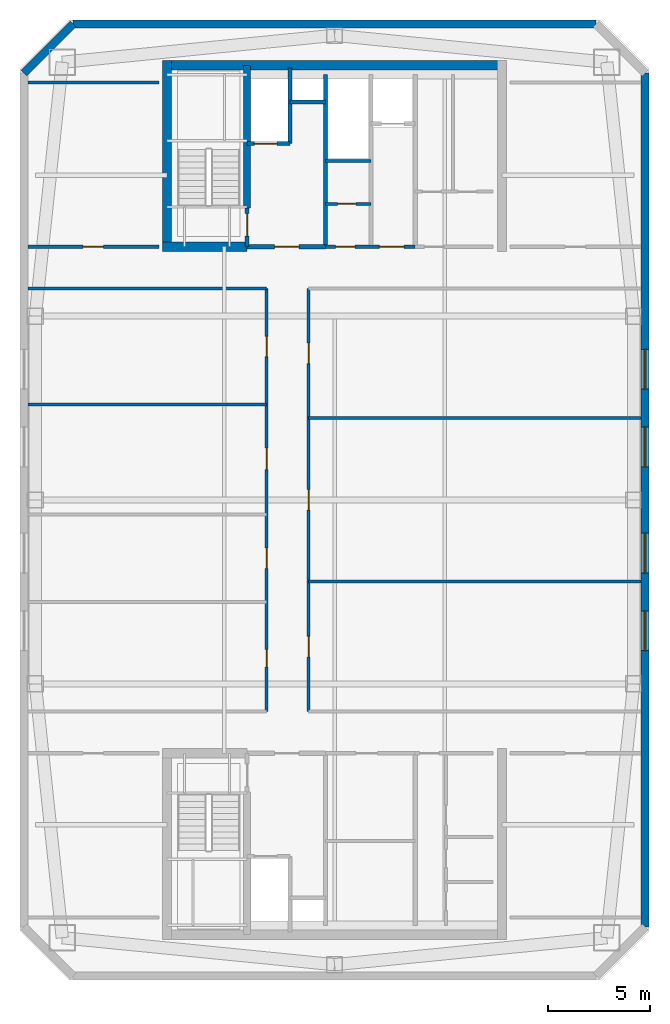
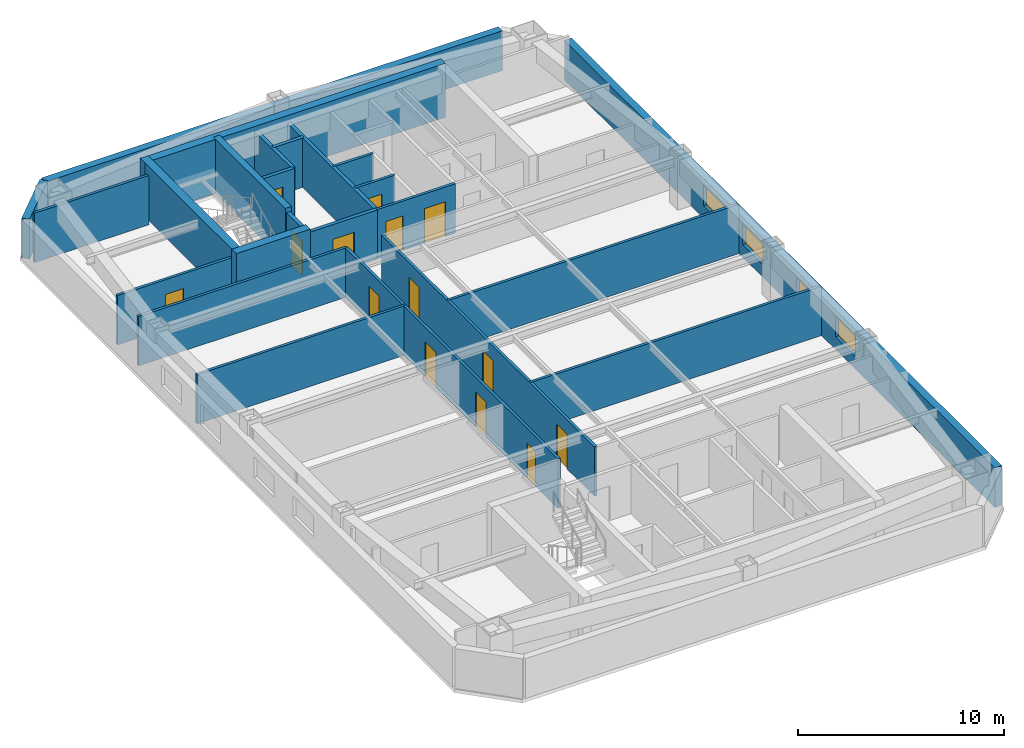
# One storey, part 3 of 5: 24 walls, 14 doors, 4 windows, 18 openings.
"""IFC4 building model written with IfcOpenShell, lengths in metres."""

from ifc_helpers import new_model, si_unit, direction, frame, frame_2d, origin, place, context, subcontext, project, spatial, rectangle, extrude, material, layer, layer_set, type_object, element, fill, save


model = new_model("IFC4")

# Units and contexts
model_context = context("Model", 3, precision=1e-05, world=origin(), true_north=direction((0.0, 1.0)))
body_context = subcontext(model_context, "Body", "Model", "MODEL_VIEW")
ifc_project = project(units=[si_unit("LENGTHUNIT", "METRE"), si_unit("AREAUNIT", "SQUARE_METRE"), si_unit("VOLUMEUNIT", "CUBIC_METRE"), si_unit("PLANEANGLEUNIT", "RADIAN"), si_unit("MASSUNIT", "GRAM", prefix="KILO")], contexts=[model_context])

# Site, building, storey
site_placement = place(None, origin())
site = spatial("IfcSite", under=ifc_project, at=site_placement, CompositionType="ELEMENT")
building_placement = place(site_placement, origin())
building = spatial("IfcBuilding", under=site, at=building_placement, Name="Qiaolan Cultural Towers", CompositionType="ELEMENT")
storey_placement = place(building_placement, frame((0.0, 0.0, 272.800048828125)))
storey = spatial("IfcBuildingStorey", under=building, at=storey_placement, Name="L75", CompositionType="ELEMENT", Elevation=272.800048828125)

# Walls
ifc_material_1 = material(Name="Concrete C50", Category="concrete")
ifc_layer_1 = layer(ifc_material_1, 0.35009765625)
ifc_layer_set_1 = layer_set([ifc_layer_1], Name="Concrete C50")
wall_type_1 = type_object("IfcWallType", Name="WL-CORE-350", PredefinedType="SHEAR", material=ifc_layer_set_1)
wall_1_placement = place(storey_placement, frame((25.719970703125, 48.300048828125, 0.0), z_axis=(0.0, 0.0, 1.0), x_axis=(0.0, 1.0, 0.0)))
element("IfcWall", 1, at=wall_1_placement, inside=storey, type_object=wall_type_1, Name="L75 T1-CN Stair Core Dividing Web", PredefinedType="SHEAR", context=body_context, shape_type="SweptSolid", body=[
    extrude(rectangle(XDim=6.97998046875, YDim=0.35009765625, at=frame_2d((3.489990234375, 0.0))), origin(), (0.0, 0.0, 1.0), 3.199951171875),
])
ifc_material_2 = material(Name="Concrete C50", Category="concrete")
ifc_layer_2 = layer(ifc_material_2, 0.449951171875)
ifc_layer_set_2 = layer_set([ifc_layer_2], Name="Concrete C50")
wall_type_2 = type_object("IfcWallType", Name="WL-CORE-450", PredefinedType="SHEAR", material=ifc_layer_set_2)
wall_2_placement = place(storey_placement, frame((21.574951171875, 55.280029296875, 0.0), z_axis=(0.0, 0.0, 1.0), x_axis=(1.0, 0.0, 0.0)))
element("IfcWall", 2, at=wall_2_placement, inside=storey, type_object=wall_type_2, Name="L75 T1-CN Outer Core Shear Wall", PredefinedType="SHEAR", context=body_context, shape_type="SweptSolid", body=[
    extrude(rectangle(XDim=16.85009765625, YDim=0.449951171875, at=frame_2d((8.425048828125, 0.0))), origin(), (0.0, 0.0, 1.0), 3.199951171875),
])
wall_3_placement = place(storey_placement, frame((21.800048828125, 46.175048828125, 0.0), z_axis=(0.0, 0.0, 1.0), x_axis=(0.0, 1.0, 0.0)))
element("IfcWall", 3, at=wall_3_placement, inside=storey, type_object=wall_type_2, Name="L75 T1-CN West Core Shear Wall", PredefinedType="SHEAR", context=body_context, shape_type="SweptSolid", body=[
    extrude(rectangle(XDim=9.329833984375, YDim=0.449951171875, at=frame_2d((4.6650390625, 0.0))), origin(), (0.0, 0.0, 1.0), 3.199951171875),
])
wall_4_placement = place(storey_placement, frame((21.574951171875, 46.39990234375, 0.0), z_axis=(0.0, 0.0, 1.0), x_axis=(1.0, 0.0, 0.0)))
element("IfcWall", 4, at=wall_4_placement, inside=storey, type_object=wall_type_2, Name="L75 T1-CN Stair Front Shear Wall", PredefinedType="SHEAR", context=body_context, shape_type="SweptSolid", body=[
    extrude(rectangle(XDim=4.14501953125, YDim=0.449951171875, at=frame_2d((2.072509765625, 0.0))), origin(), (0.0, 0.0, 1.0), 3.199951171875),
])
ifc_material_3 = material(Name="Precast Concrete C50 Honed Stone Pier", Category="masonry")
ifc_layer_3 = layer(ifc_material_3, 0.39990234375)
ifc_layer_set_3 = layer_set([ifc_layer_3], Name="Precast Concrete C50 Honed Stone Pier")
wall_type_3 = type_object("IfcWallType", Name="WL-EXT-PIER-400", PredefinedType="SOLIDWALL", material=ifc_layer_set_3)
wall_5_placement = place(storey_placement, frame((14.800048828125, 54.89990234375, 0.0), z_axis=(0.0, 0.0, 1.0), x_axis=(0.707070815327, 0.707142745217, 0.0)))
element("IfcWall", 5, at=wall_5_placement, inside=storey, type_object=wall_type_3, Name="L75 West Tower Precast Pier Facade Wall F2", PredefinedType="SOLIDWALL", context=body_context, shape_type="SweptSolid", body=[
    extrude(rectangle(XDim=3.39404296875, YDim=0.39990234375, at=frame_2d((1.697021484375, 0.0))), origin(), (0.0, 0.0, 1.0), 2.35986328125),
])
wall_6_placement = place(storey_placement, frame((17.199951171875, 57.300048828125, 0.0), z_axis=(0.0, 0.0, 1.0), x_axis=(1.0, 0.0, 0.0)))
element("IfcWall", 6, at=wall_6_placement, inside=storey, type_object=wall_type_3, Name="L75 West Tower Precast Pier Facade Wall F3", PredefinedType="SOLIDWALL", context=body_context, shape_type="SweptSolid", body=[
    extrude(rectangle(XDim=25.60009765625, YDim=0.39990234375, at=frame_2d((12.800048828125, 0.0))), origin(), (0.0, 0.0, 1.0), 2.35986328125),
])

# Wall, openings, windows
wall_7_placement = place(storey_placement, frame((45.199951171875, 54.89990234375, 0.0), z_axis=(0.0, 0.0, 1.0), x_axis=(0.0, -1.0, 0.0)))
wall_7 = element("IfcWall", 7, at=wall_7_placement, inside=storey, type_object=wall_type_3, Name="L75 West Tower Precast Pier Facade Wall F5", PredefinedType="SOLIDWALL", context=body_context, shape_type="SweptSolid", body=[
    extrude(rectangle(XDim=41.7998046875, YDim=0.39990234375, at=frame_2d((20.89990234375, 0.0))), origin(), (0.0, 0.0, 1.0), 2.35986328125),
])
opening_1_placement = place(wall_7_placement, frame((26.324951171875, 0.0, 0.75)))
opening_1 = element("IfcOpeningElement", 8, at=opening_1_placement, cuts=wall_7, Name="Opening W-06", PredefinedType="OPENING", context=body_context, shape_type="SweptSolid", body=[
    extrude(rectangle(XDim=1.949951171875, YDim=1.2099609375, at=frame_2d((0.97509765625, 0.60498046875))), frame((0.0, 0.2099609375, 0.0), z_axis=(0.0, -1.0, 0.0), x_axis=(1.0, 0.0, 0.0)), (0.0, 0.0, 1.0), 0.419921875),
])
opening_2_placement = place(wall_7_placement, frame((22.52490234375, 0.0, 0.75)))
opening_2 = element("IfcOpeningElement", 9, at=opening_2_placement, cuts=wall_7, Name="Opening W-06", PredefinedType="OPENING", context=body_context, shape_type="SweptSolid", body=[
    extrude(rectangle(XDim=1.949951171875, YDim=1.2099609375, at=frame_2d((0.97509765625, 0.60498046875))), frame((0.0, 0.2099609375, 0.0), z_axis=(0.0, -1.0, 0.0), x_axis=(1.0, 0.0, 0.0)), (0.0, 0.0, 1.0), 0.419921875),
])
opening_3_placement = place(wall_7_placement, frame((17.324951171875, 0.0, 0.75)))
opening_3 = element("IfcOpeningElement", 10, at=opening_3_placement, cuts=wall_7, Name="Opening W-06", PredefinedType="OPENING", context=body_context, shape_type="SweptSolid", body=[
    extrude(rectangle(XDim=1.949951171875, YDim=1.2099609375, at=frame_2d((0.97509765625, 0.60498046875))), frame((0.0, 0.2099609375, 0.0), z_axis=(0.0, -1.0, 0.0), x_axis=(1.0, 0.0, 0.0)), (0.0, 0.0, 1.0), 0.419921875),
])
opening_4_placement = place(wall_7_placement, frame((13.52490234375, 0.0, 0.75)))
opening_4 = element("IfcOpeningElement", 11, at=opening_4_placement, cuts=wall_7, Name="Opening W-06", PredefinedType="OPENING", context=body_context, shape_type="SweptSolid", body=[
    extrude(rectangle(XDim=1.949951171875, YDim=1.2099609375, at=frame_2d((0.97509765625, 0.60498046875))), frame((0.0, 0.2099609375, 0.0), z_axis=(0.0, -1.0, 0.0), x_axis=(1.0, 0.0, 0.0)), (0.0, 0.0, 1.0), 0.419921875),
])
ifc_material_4 = material(Name="Thermally Broken Aluminium Triple Low-E Glazing", Category="aluminium")
window_type = type_object("IfcWindowType", Name="WN-CHIC-1950", PartitioningType="SINGLE_PANEL", PredefinedType="WINDOW", material=ifc_material_4)
window_1_placement = place(opening_1_placement, origin())
window_1 = element("IfcWindow", 12, at=window_1_placement, inside=storey, type_object=window_type, Name="L75 T1 E Chicago Bay Window 1", OverallHeight=1.2099609375, OverallWidth=1.949951171875, PartitioningType="TRIPLE_PANEL_VERTICAL", PredefinedType="WINDOW", context=body_context, shape_type="SweptSolid", body=[
    extrude(rectangle(XDim=1.949951171875, YDim=1.2099609375, at=frame_2d((0.97509765625, 0.60498046875))), frame((0.0, 0.030029296875, 0.0), z_axis=(0.0, -1.0, 0.0), x_axis=(1.0, 0.0, 0.0)), (0.0, 0.0, 1.0), 0.06005859375),
])
fill(opening_1, window_1)
window_2_placement = place(opening_2_placement, origin())
window_2 = element("IfcWindow", 13, at=window_2_placement, inside=storey, type_object=window_type, Name="L75 T1 E Chicago Bay Window 2", OverallHeight=1.2099609375, OverallWidth=1.949951171875, PartitioningType="TRIPLE_PANEL_VERTICAL", PredefinedType="WINDOW", context=body_context, shape_type="SweptSolid", body=[
    extrude(rectangle(XDim=1.949951171875, YDim=1.2099609375, at=frame_2d((0.97509765625, 0.60498046875))), frame((0.0, 0.030029296875, 0.0), z_axis=(0.0, -1.0, 0.0), x_axis=(1.0, 0.0, 0.0)), (0.0, 0.0, 1.0), 0.06005859375),
])
fill(opening_2, window_2)
window_3_placement = place(opening_3_placement, origin())
window_3 = element("IfcWindow", 14, at=window_3_placement, inside=storey, type_object=window_type, Name="L75 T1 E Chicago Bay Window 3", OverallHeight=1.2099609375, OverallWidth=1.949951171875, PartitioningType="TRIPLE_PANEL_VERTICAL", PredefinedType="WINDOW", context=body_context, shape_type="SweptSolid", body=[
    extrude(rectangle(XDim=1.949951171875, YDim=1.2099609375, at=frame_2d((0.97509765625, 0.60498046875))), frame((0.0, 0.030029296875, 0.0), z_axis=(0.0, -1.0, 0.0), x_axis=(1.0, 0.0, 0.0)), (0.0, 0.0, 1.0), 0.06005859375),
])
fill(opening_3, window_3)
window_4_placement = place(opening_4_placement, origin())
window_4 = element("IfcWindow", 15, at=window_4_placement, inside=storey, type_object=window_type, Name="L75 T1 E Chicago Bay Window 4", OverallHeight=1.2099609375, OverallWidth=1.949951171875, PartitioningType="TRIPLE_PANEL_VERTICAL", PredefinedType="WINDOW", context=body_context, shape_type="SweptSolid", body=[
    extrude(rectangle(XDim=1.949951171875, YDim=1.2099609375, at=frame_2d((0.97509765625, 0.60498046875))), frame((0.0, 0.030029296875, 0.0), z_axis=(0.0, -1.0, 0.0), x_axis=(1.0, 0.0, 0.0)), (0.0, 0.0, 1.0), 0.06005859375),
])
fill(opening_4, window_4)

# Wall, opening, door
ifc_material_5 = material(Name="Concrete C35 Fire Wall", Category="concrete")
ifc_layer_4 = layer(ifc_material_5, 0.199951171875)
ifc_layer_set_4 = layer_set([ifc_layer_4], Name="Concrete C35 Fire Wall")
wall_type_4 = type_object("IfcWallType", Name="WL-FIRE-200", PredefinedType="PARTITIONING", material=ifc_layer_set_4)
wall_8_placement = place(storey_placement, frame((25.719970703125, 46.39990234375, 0.0), z_axis=(0.0, 0.0, 1.0), x_axis=(0.0, 1.0, 0.0)))
wall_8 = element("IfcWall", 16, at=wall_8_placement, inside=storey, type_object=wall_type_4, Name="L75 T1-CN Smokeproof Stair Entry Wall", PredefinedType="PARTITIONING", context=body_context, shape_type="SweptSolid", body=[
    extrude(rectangle(XDim=1.900146484375, YDim=0.199951171875, at=frame_2d((0.9501953125, 0.0))), origin(), (0.0, 0.0, 1.0), 2.925048828125),
])
opening_5_placement = place(wall_8_placement, frame((0.52001953125, 0.0, 0.0)))
opening_5 = element("IfcOpeningElement", 17, at=opening_5_placement, cuts=wall_8, Name="Opening FD-04", PredefinedType="OPENING", context=body_context, shape_type="SweptSolid", body=[
    extrude(rectangle(XDim=1.10009765625, YDim=2.050048828125, at=frame_2d((0.550048828125, 1.02490234375))), frame((0.0, 0.10986328125, 0.0), z_axis=(0.0, -1.0, 0.0), x_axis=(1.0, 0.0, 0.0)), (0.0, 0.0, 1.0), 0.219970703125),
])
ifc_material_6 = material(Name="Galvanized Steel Command Fire Door", Category="steel")
door_type_1 = type_object("IfcDoorType", Name="DR-FD90-1100", OperationType="NOTDEFINED", PredefinedType="DOOR", material=ifc_material_6)
door_1_placement = place(opening_5_placement, origin())
door_1 = element("IfcDoor", 18, at=door_1_placement, inside=storey, type_object=door_type_1, Name="L75 ST-W2 Smokeproof Stair Fire Door", OperationType="SINGLE_SWING_LEFT", OverallHeight=2.050048828125, OverallWidth=1.10009765625, PredefinedType="DOOR", context=body_context, shape_type="SweptSolid", body=[
    extrude(rectangle(XDim=1.10009765625, YDim=2.050048828125, at=frame_2d((0.550048828125, 1.02490234375))), frame((0.0, 0.02490234375, 0.0), z_axis=(0.0, -1.0, 0.0), x_axis=(1.0, 0.0, 0.0)), (0.0, 0.0, 1.0), 0.050048828125),
])
fill(opening_5, door_1)

# Wall
wall_9_placement = place(storey_placement, frame((29.550048828125, 46.39990234375, 0.0), z_axis=(0.0, 0.0, 1.0), x_axis=(0.0, 1.0, 0.0)))
element("IfcWall", 19, at=wall_9_placement, inside=storey, type_object=wall_type_4, Name="L75 T1-CN Firefighting Zone Wall", PredefinedType="PARTITIONING", context=body_context, shape_type="SweptSolid", body=[
    extrude(rectangle(XDim=8.43017578125, YDim=0.199951171875, at=frame_2d((4.215087890625, 0.0))), origin(), (0.0, 0.0, 1.0), 2.925048828125),
])

# Wall, opening, door
wall_10_placement = place(storey_placement, frame((25.719970703125, 46.39990234375, 0.0), z_axis=(0.0, 0.0, 1.0), x_axis=(1.0, 0.0, 0.0)))
wall_10 = element("IfcWall", 20, at=wall_10_placement, inside=storey, type_object=wall_type_4, Name="L75 T1-CN Firefighting Lobby Front Wall", PredefinedType="PARTITIONING", context=body_context, shape_type="SweptSolid", body=[
    extrude(rectangle(XDim=3.830078125, YDim=0.199951171875, at=frame_2d((1.9150390625, 0.0))), origin(), (0.0, 0.0, 1.0), 2.925048828125),
])
opening_6_placement = place(wall_10_placement, frame((1.35009765625, 0.0, 0.0)))
opening_6 = element("IfcOpeningElement", 21, at=opening_6_placement, cuts=wall_10, Name="Opening FD-03", PredefinedType="OPENING", context=body_context, shape_type="SweptSolid", body=[
    extrude(rectangle(XDim=1.199951171875, YDim=2.050048828125, at=frame_2d((0.60009765625, 1.02490234375))), frame((0.0, 0.10986328125, 0.0), z_axis=(0.0, -1.0, 0.0), x_axis=(1.0, 0.0, 0.0)), (0.0, 0.0, 1.0), 0.219970703125),
])
ifc_material_7 = material(Name="Galvanized Steel Smokeproof Lobby Fire Door", Category="steel")
door_type_2 = type_object("IfcDoorType", Name="DR-FD90-1200", OperationType="NOTDEFINED", PredefinedType="DOOR", material=ifc_material_7)
door_2_placement = place(opening_6_placement, origin())
door_2 = element("IfcDoor", 22, at=door_2_placement, inside=storey, type_object=door_type_2, Name="L75 FFL-W2 Firefighting Lobby Fire Door", OperationType="SINGLE_SWING_LEFT", OverallHeight=2.050048828125, OverallWidth=1.199951171875, PredefinedType="DOOR", context=body_context, shape_type="SweptSolid", body=[
    extrude(rectangle(XDim=1.199951171875, YDim=2.050048828125, at=frame_2d((0.60009765625, 1.02490234375))), frame((0.0, 0.02490234375, 0.0), z_axis=(0.0, -1.0, 0.0), x_axis=(1.0, 0.0, 0.0)), (0.0, 0.0, 1.0), 0.050048828125),
])
fill(opening_6, door_2)

wall_11_placement = place(storey_placement, frame((25.719970703125, 51.449951171875, 0.0), z_axis=(0.0, 0.0, 1.0), x_axis=(1.0, 0.0, 0.0)))
wall_11 = element("IfcWall", 23, at=wall_11_placement, inside=storey, type_object=wall_type_4, Name="L75 T1-CN Firefighting Shaft Front Wall", PredefinedType="PARTITIONING", context=body_context, shape_type="SweptSolid", body=[
    extrude(rectangle(XDim=2.10009765625, YDim=0.199951171875, at=frame_2d((1.050048828125, 0.0))), origin(), (0.0, 0.0, 1.0), 2.925048828125),
])
opening_7_placement = place(wall_11_placement, frame((0.35009765625, 0.0, 0.0)))
opening_7 = element("IfcOpeningElement", 24, at=opening_7_placement, cuts=wall_11, Name="Opening LD-01", PredefinedType="OPENING", context=body_context, shape_type="SweptSolid", body=[
    extrude(rectangle(XDim=1.10009765625, YDim=2.050048828125, at=frame_2d((0.550048828125, 1.02490234375))), frame((0.0, 0.10986328125, 0.0), z_axis=(0.0, -1.0, 0.0), x_axis=(1.0, 0.0, 0.0)), (0.0, 0.0, 1.0), 0.219970703125),
])
ifc_material_8 = material(Name="Brushed Stainless Steel S30408 Centre-Parting Lift Landing Door", Category="steel")
door_type_3 = type_object("IfcDoorType", Name="DR-LIFT-1100", OperationType="NOTDEFINED", PredefinedType="DOOR", material=ifc_material_8)
door_3_placement = place(opening_7_placement, origin())
door_3 = element("IfcDoor", 25, at=door_3_placement, inside=storey, type_object=door_type_3, Name="L75 FFL-W2 Firefighting Lift Landing Door", OperationType="DOUBLE_DOOR_SLIDING", OverallHeight=2.050048828125, OverallWidth=1.10009765625, PredefinedType="DOOR", context=body_context, shape_type="SweptSolid", body=[
    extrude(rectangle(XDim=1.10009765625, YDim=2.050048828125, at=frame_2d((0.550048828125, 1.02490234375))), frame((0.0, 0.02490234375, 0.0), z_axis=(0.0, -1.0, 0.0), x_axis=(1.0, 0.0, 0.0)), (0.0, 0.0, 1.0), 0.050048828125),
])
fill(opening_7, door_3)

# Walls
wall_12_placement = place(storey_placement, frame((27.820068359375, 51.449951171875, 0.0), z_axis=(0.0, 0.0, 1.0), x_axis=(0.0, 1.0, 0.0)))
element("IfcWall", 26, at=wall_12_placement, inside=storey, type_object=wall_type_4, Name="L75 T1-CN Firefighting Hoistway East Wall", PredefinedType="PARTITIONING", context=body_context, shape_type="SweptSolid", body=[
    extrude(rectangle(XDim=3.699951171875, YDim=0.199951171875, at=frame_2d((1.85009765625, 0.0))), origin(), (0.0, 0.0, 1.0), 2.925048828125),
])
wall_13_placement = place(storey_placement, frame((27.820068359375, 53.47998046875, 0.0), z_axis=(0.0, 0.0, 1.0), x_axis=(1.0, 0.0, 0.0)))
element("IfcWall", 27, at=wall_13_placement, inside=storey, type_object=wall_type_4, Name="L75 T1-CN Pressurization Shaft Front Wall", PredefinedType="PARTITIONING", context=body_context, shape_type="SweptSolid", body=[
    extrude(rectangle(XDim=1.72998046875, YDim=0.199951171875, at=frame_2d((0.864990234375, 0.0))), origin(), (0.0, 0.0, 1.0), 2.925048828125),
])

# Wall, openings, doors
ifc_material_9 = material(Name="Autoclaved Aerated Concrete Block B06", Category="concrete")
ifc_layer_5 = layer(ifc_material_9, 0.14990234375)
ifc_layer_set_5 = layer_set([ifc_layer_5], Name="Autoclaved Aerated Concrete Block B06")
wall_type_5 = type_object("IfcWallType", Name="WL-PART-150", PredefinedType="PARTITIONING", material=ifc_layer_set_5)
wall_14_placement = place(storey_placement, frame((29.550048828125, 46.39990234375, 0.0), z_axis=(0.0, 0.0, 1.0), x_axis=(1.0, 0.0, 0.0)))
wall_14 = element("IfcWall", 28, at=wall_14_placement, inside=storey, type_object=wall_type_5, Name="L75 T1-CN High-Zone Lift Lobby Wall", PredefinedType="PARTITIONING", context=body_context, shape_type="SweptSolid", body=[
    extrude(rectangle(XDim=4.39990234375, YDim=0.14990234375, at=frame_2d((2.199951171875, 0.0))), origin(), (0.0, 0.0, 1.0), 2.925048828125),
])
opening_8_placement = place(wall_14_placement, frame((0.5, 0.0, 0.0)))
opening_8 = element("IfcOpeningElement", 29, at=opening_8_placement, cuts=wall_14, Name="Opening ID-05", PredefinedType="OPENING", context=body_context, shape_type="SweptSolid", body=[
    extrude(rectangle(XDim=0.949951171875, YDim=2.050048828125, at=frame_2d((0.47509765625, 1.02490234375))), frame((0.0, 0.0849609375, 0.0), z_axis=(0.0, -1.0, 0.0), x_axis=(1.0, 0.0, 0.0)), (0.0, 0.0, 1.0), 0.169921875),
])
opening_9_placement = place(wall_14_placement, frame((2.64990234375, 0.0, 0.0)))
opening_9 = element("IfcOpeningElement", 30, at=opening_9_placement, cuts=wall_14, Name="Opening FD-06", PredefinedType="OPENING", context=body_context, shape_type="SweptSolid", body=[
    extrude(rectangle(XDim=1.199951171875, YDim=2.050048828125, at=frame_2d((0.60009765625, 1.02490234375))), frame((0.0, 0.0849609375, 0.0), z_axis=(0.0, -1.0, 0.0), x_axis=(1.0, 0.0, 0.0)), (0.0, 0.0, 1.0), 0.169921875),
])
ifc_material_10 = material(Name="Painted Steel Plant Fire Door", Category="steel")
door_type_4 = type_object("IfcDoorType", Name="DR-FD60-1200", OperationType="NOTDEFINED", PredefinedType="DOOR", material=ifc_material_10)
door_4_placement = place(opening_9_placement, origin())
door_4 = element("IfcDoor", 31, at=door_4_placement, inside=storey, type_object=door_type_4, Name="L75 Sky Shuttle Lift Lobby Door", OperationType="SINGLE_SWING_RIGHT", OverallHeight=2.050048828125, OverallWidth=1.199951171875, PredefinedType="DOOR", context=body_context, shape_type="SweptSolid", body=[
    extrude(rectangle(XDim=1.199951171875, YDim=2.050048828125, at=frame_2d((0.60009765625, 1.02490234375))), frame((0.0, 0.02490234375, 0.0), z_axis=(0.0, -1.0, 0.0), x_axis=(1.0, 0.0, 0.0)), (0.0, 0.0, 1.0), 0.050048828125),
])
fill(opening_9, door_4)
ifc_material_11 = material(Name="Fire-Rated Laminate Accessible Core Door", Category="timber")
door_type_5 = type_object("IfcDoorType", Name="DR-INT-950", OperationType="NOTDEFINED", PredefinedType="DOOR", material=ifc_material_11)
door_5_placement = place(opening_8_placement, origin())
door_5 = element("IfcDoor", 32, at=door_5_placement, inside=storey, type_object=door_type_5, Name="L75 Reclaimed Server Room Door", OperationType="SINGLE_SWING_LEFT", OverallHeight=2.050048828125, OverallWidth=0.949951171875, PredefinedType="DOOR", context=body_context, shape_type="SweptSolid", body=[
    extrude(rectangle(XDim=0.949951171875, YDim=2.050048828125, at=frame_2d((0.47509765625, 1.02490234375))), frame((0.0, 0.02490234375, 0.0), z_axis=(0.0, -1.0, 0.0), x_axis=(1.0, 0.0, 0.0)), (0.0, 0.0, 1.0), 0.050048828125),
])
fill(opening_8, door_5)

# Wall
wall_15_placement = place(storey_placement, frame((29.550048828125, 50.60009765625, 0.0), z_axis=(0.0, 0.0, 1.0), x_axis=(1.0, 0.0, 0.0)))
element("IfcWall", 33, at=wall_15_placement, inside=storey, type_object=wall_type_5, Name="L75 T1-CN High-Zone Smoke Shaft Split", PredefinedType="PARTITIONING", context=body_context, shape_type="SweptSolid", body=[
    extrude(rectangle(XDim=2.22998046875, YDim=0.14990234375, at=frame_2d((1.114990234375, 0.0))), origin(), (0.0, 0.0, 1.0), 2.925048828125),
])

# Wall, opening, door
wall_16_placement = place(storey_placement, frame((29.550048828125, 48.5, 0.0), z_axis=(0.0, 0.0, 1.0), x_axis=(1.0, 0.0, 0.0)))
wall_16 = element("IfcWall", 34, at=wall_16_placement, inside=storey, type_object=wall_type_5, Name="L75 T1-CN High-Zone Archive Suite Partition", PredefinedType="PARTITIONING", context=body_context, shape_type="SweptSolid", body=[
    extrude(rectangle(XDim=2.22998046875, YDim=0.14990234375, at=frame_2d((1.114990234375, 0.0))), origin(), (0.0, 0.0, 1.0), 2.925048828125),
])
opening_10_placement = place(wall_16_placement, frame((0.60009765625, 0.0, 0.0)))
opening_10 = element("IfcOpeningElement", 35, at=opening_10_placement, cuts=wall_16, Name="Opening ID-06", PredefinedType="OPENING", context=body_context, shape_type="SweptSolid", body=[
    extrude(rectangle(XDim=0.89990234375, YDim=2.050048828125, at=frame_2d((0.449951171875, 1.02490234375))), frame((0.0, 0.0849609375, 0.0), z_axis=(0.0, -1.0, 0.0), x_axis=(1.0, 0.0, 0.0)), (0.0, 0.0, 1.0), 0.169921875),
])
ifc_material_12 = material(Name="Fire-Rated Laminate Core Service Door", Category="timber")
door_type_6 = type_object("IfcDoorType", Name="DR-INT-900", OperationType="NOTDEFINED", PredefinedType="DOOR", material=ifc_material_12)
door_6_placement = place(opening_10_placement, origin())
door_6 = element("IfcDoor", 36, at=door_6_placement, inside=storey, type_object=door_type_6, Name="L75 Archive Vault Inner Door", OperationType="SINGLE_SWING_LEFT", OverallHeight=2.050048828125, OverallWidth=0.89990234375, PredefinedType="DOOR", context=body_context, shape_type="SweptSolid", body=[
    extrude(rectangle(XDim=0.89990234375, YDim=2.050048828125, at=frame_2d((0.449951171875, 1.02490234375))), frame((0.0, 0.02490234375, 0.0), z_axis=(0.0, -1.0, 0.0), x_axis=(1.0, 0.0, 0.0)), (0.0, 0.0, 1.0), 0.050048828125),
])
fill(opening_10, door_6)

# Wall
wall_17_placement = place(storey_placement, frame((15.0, 54.449951171875, 0.0), z_axis=(0.0, 0.0, 1.0), x_axis=(1.0, 0.0, 0.0)))
element("IfcWall", 37, at=wall_17_placement, inside=storey, type_object=wall_type_5, Name="L75 T1 Flank Wall FLK-NW", PredefinedType="PARTITIONING", context=body_context, shape_type="SweptSolid", body=[
    extrude(rectangle(XDim=6.39990234375, YDim=0.14990234375, at=frame_2d((3.199951171875, 0.0))), origin(), (0.0, 0.0, 1.0), 2.925048828125),
])

# Wall, opening, door
wall_18_placement = place(storey_placement, frame((15.0, 46.39990234375, 0.0), z_axis=(0.0, 0.0, 1.0), x_axis=(1.0, 0.0, 0.0)))
wall_18 = element("IfcWall", 38, at=wall_18_placement, inside=storey, type_object=wall_type_5, Name="L75 T1 Flank Front FLK-NW", PredefinedType="PARTITIONING", context=body_context, shape_type="SweptSolid", body=[
    extrude(rectangle(XDim=6.39990234375, YDim=0.14990234375, at=frame_2d((3.199951171875, 0.0))), origin(), (0.0, 0.0, 1.0), 2.925048828125),
])
opening_11_placement = place(wall_18_placement, frame((2.68798828125, 0.0, 0.0)))
opening_11 = element("IfcOpeningElement", 39, at=opening_11_placement, cuts=wall_18, Name="Opening ID-04", PredefinedType="OPENING", context=body_context, shape_type="SweptSolid", body=[
    extrude(rectangle(XDim=1.0, YDim=2.050048828125, at=frame_2d((0.5, 1.02490234375))), frame((0.0, 0.0849609375, 0.0), z_axis=(0.0, -1.0, 0.0), x_axis=(1.0, 0.0, 0.0)), (0.0, 0.0, 1.0), 0.169921875),
])
ifc_material_13 = material(Name="Oak Veneer Acoustic Office Door", Category="timber")
door_type_7 = type_object("IfcDoorType", Name="DR-INT-1000", OperationType="NOTDEFINED", PredefinedType="DOOR", material=ifc_material_13)
door_7_placement = place(opening_11_placement, origin())
door_7 = element("IfcDoor", 40, at=door_7_placement, inside=storey, type_object=door_type_7, Name="L75 T1 Corner Studio Door", OperationType="SINGLE_SWING_LEFT", OverallHeight=2.050048828125, OverallWidth=1.0, PredefinedType="DOOR", context=body_context, shape_type="SweptSolid", body=[
    extrude(rectangle(XDim=1.0, YDim=2.050048828125, at=frame_2d((0.5, 1.02490234375))), frame((0.0, 0.02490234375, 0.0), z_axis=(0.0, -1.0, 0.0), x_axis=(1.0, 0.0, 0.0)), (0.0, 0.0, 1.0), 0.050048828125),
])
fill(opening_11, door_7)

# Wall
wall_19_placement = place(storey_placement, frame((15.0, 44.35009765625, 0.0), z_axis=(0.0, 0.0, 1.0), x_axis=(1.0, 0.0, 0.0)))
element("IfcWall", 41, at=wall_19_placement, inside=storey, type_object=wall_type_5, Name="L75 T1 North Corridor Left Wall", PredefinedType="PARTITIONING", context=body_context, shape_type="SweptSolid", body=[
    extrude(rectangle(XDim=11.675048828125, YDim=0.14990234375, at=frame_2d((5.83740234375, 0.0))), origin(), (0.0, 0.0, 1.0), 2.925048828125),
])

# Wall, openings, doors
wall_20_placement = place(storey_placement, frame((26.675048828125, 23.64990234375, 0.0), z_axis=(0.0, 0.0, 1.0), x_axis=(0.0, 1.0, 0.0)))
wall_20 = element("IfcWall", 42, at=wall_20_placement, inside=storey, type_object=wall_type_5, Name="L75 T1 West Spine Wall", PredefinedType="PARTITIONING", context=body_context, shape_type="SweptSolid", body=[
    extrude(rectangle(XDim=20.7001953125, YDim=0.14990234375, at=frame_2d((10.35009765625, 0.0))), origin(), (0.0, 0.0, 1.0), 2.925048828125),
])
opening_12_placement = place(wall_20_placement, frame((2.175048828125, 0.0, 0.0)))
opening_12 = element("IfcOpeningElement", 43, at=opening_12_placement, cuts=wall_20, Name="Opening ID-09", PredefinedType="OPENING", context=body_context, shape_type="SweptSolid", body=[
    extrude(rectangle(XDim=0.85009765625, YDim=2.050048828125, at=frame_2d((0.425048828125, 1.02490234375))), frame((0.0, 0.0849609375, 0.0), z_axis=(0.0, -1.0, 0.0), x_axis=(1.0, 0.0, 0.0)), (0.0, 0.0, 1.0), 0.169921875),
])
opening_13_placement = place(wall_20_placement, frame((6.99853515625, 0.0, 0.0)))
opening_13 = element("IfcOpeningElement", 44, at=opening_13_placement, cuts=wall_20, Name="Opening ID-04", PredefinedType="OPENING", context=body_context, shape_type="SweptSolid", body=[
    extrude(rectangle(XDim=1.0, YDim=2.050048828125, at=frame_2d((0.5, 1.02490234375))), frame((0.0, 0.0849609375, 0.0), z_axis=(0.0, -1.0, 0.0), x_axis=(1.0, 0.0, 0.0)), (0.0, 0.0, 1.0), 0.169921875),
])
opening_14_placement = place(wall_20_placement, frame((11.837890625, 0.0, 0.0)))
opening_14 = element("IfcOpeningElement", 45, at=opening_14_placement, cuts=wall_20, Name="Opening ID-07", PredefinedType="OPENING", context=body_context, shape_type="SweptSolid", body=[
    extrude(rectangle(XDim=1.050048828125, YDim=2.050048828125, at=frame_2d((0.52490234375, 1.02490234375))), frame((0.0, 0.0849609375, 0.0), z_axis=(0.0, -1.0, 0.0), x_axis=(1.0, 0.0, 0.0)), (0.0, 0.0, 1.0), 0.169921875),
])
opening_15_placement = place(wall_20_placement, frame((17.364501953125, 0.0, 0.0)))
opening_15 = element("IfcOpeningElement", 46, at=opening_15_placement, cuts=wall_20, Name="Opening ID-04", PredefinedType="OPENING", context=body_context, shape_type="SweptSolid", body=[
    extrude(rectangle(XDim=1.0, YDim=2.050048828125, at=frame_2d((0.5, 1.02490234375))), frame((0.0, 0.0849609375, 0.0), z_axis=(0.0, -1.0, 0.0), x_axis=(1.0, 0.0, 0.0)), (0.0, 0.0, 1.0), 0.169921875),
])
door_8_placement = place(opening_13_placement, origin())
door_8 = element("IfcDoor", 47, at=door_8_placement, inside=storey, type_object=door_type_7, Name="L75 T1 Summit Office Door", OperationType="SINGLE_SWING_RIGHT", OverallHeight=2.050048828125, OverallWidth=1.0, PredefinedType="DOOR", context=body_context, shape_type="SweptSolid", body=[
    extrude(rectangle(XDim=1.0, YDim=2.050048828125, at=frame_2d((0.5, 1.02490234375))), frame((0.0, 0.02490234375, 0.0), z_axis=(0.0, -1.0, 0.0), x_axis=(1.0, 0.0, 0.0)), (0.0, 0.0, 1.0), 0.050048828125),
])
fill(opening_13, door_8)
door_9_placement = place(opening_15_placement, origin())
door_9 = element("IfcDoor", 48, at=door_9_placement, inside=storey, type_object=door_type_7, Name="L75 T1 Summit Club Lounge Door", OperationType="SINGLE_SWING_RIGHT", OverallHeight=2.050048828125, OverallWidth=1.0, PredefinedType="DOOR", context=body_context, shape_type="SweptSolid", body=[
    extrude(rectangle(XDim=1.0, YDim=2.050048828125, at=frame_2d((0.5, 1.02490234375))), frame((0.0, 0.02490234375, 0.0), z_axis=(0.0, -1.0, 0.0), x_axis=(1.0, 0.0, 0.0)), (0.0, 0.0, 1.0), 0.050048828125),
])
fill(opening_15, door_9)
ifc_material_14 = material(Name="Oak Veneer Consultation Door", Category="timber")
door_type_8 = type_object("IfcDoorType", Name="DR-INT-1050", OperationType="NOTDEFINED", PredefinedType="DOOR", material=ifc_material_14)
door_10_placement = place(opening_14_placement, origin())
door_10 = element("IfcDoor", 49, at=door_10_placement, inside=storey, type_object=door_type_8, Name="L75 T1 Summit Boardroom Door", OperationType="SINGLE_SWING_LEFT", OverallHeight=2.050048828125, OverallWidth=1.050048828125, PredefinedType="DOOR", context=body_context, shape_type="SweptSolid", body=[
    extrude(rectangle(XDim=1.050048828125, YDim=2.050048828125, at=frame_2d((0.52490234375, 1.02490234375))), frame((0.0, 0.02490234375, 0.0), z_axis=(0.0, -1.0, 0.0), x_axis=(1.0, 0.0, 0.0)), (0.0, 0.0, 1.0), 0.050048828125),
])
fill(opening_14, door_10)
ifc_material_15 = material(Name="Moisture-Resistant Laminate Utility Door", Category="timber")
door_type_9 = type_object("IfcDoorType", Name="DR-INT-850", OperationType="NOTDEFINED", PredefinedType="DOOR", material=ifc_material_15)
door_11_placement = place(opening_12_placement, origin())
door_11 = element("IfcDoor", 50, at=door_11_placement, inside=storey, type_object=door_type_9, Name="L75 T1 Summit Cultural Library Door", OperationType="SINGLE_SWING_LEFT", OverallHeight=2.050048828125, OverallWidth=0.85009765625, PredefinedType="DOOR", context=body_context, shape_type="SweptSolid", body=[
    extrude(rectangle(XDim=0.85009765625, YDim=2.050048828125, at=frame_2d((0.425048828125, 1.02490234375))), frame((0.0, 0.02490234375, 0.0), z_axis=(0.0, -1.0, 0.0), x_axis=(1.0, 0.0, 0.0)), (0.0, 0.0, 1.0), 0.050048828125),
])
fill(opening_12, door_11)

wall_21_placement = place(storey_placement, frame((28.72509765625, 23.64990234375, 0.0), z_axis=(0.0, 0.0, 1.0), x_axis=(0.0, 1.0, 0.0)))
wall_21 = element("IfcWall", 51, at=wall_21_placement, inside=storey, type_object=wall_type_5, Name="L75 T1 East Spine Wall", PredefinedType="PARTITIONING", context=body_context, shape_type="SweptSolid", body=[
    extrude(rectangle(XDim=20.7001953125, YDim=0.14990234375, at=frame_2d((10.35009765625, 0.0))), origin(), (0.0, 0.0, 1.0), 2.925048828125),
])
opening_16_placement = place(wall_21_placement, frame((2.675048828125, 0.0, 0.0)))
opening_16 = element("IfcOpeningElement", 52, at=opening_16_placement, cuts=wall_21, Name="Opening ID-04", PredefinedType="OPENING", context=body_context, shape_type="SweptSolid", body=[
    extrude(rectangle(XDim=1.0, YDim=2.050048828125, at=frame_2d((0.5, 1.02490234375))), frame((0.0, 0.0849609375, 0.0), z_axis=(0.0, -1.0, 0.0), x_axis=(1.0, 0.0, 0.0)), (0.0, 0.0, 1.0), 0.169921875),
])
opening_17_placement = place(wall_21_placement, frame((9.857421875, 0.0, 0.0)))
opening_17 = element("IfcOpeningElement", 53, at=opening_17_placement, cuts=wall_21, Name="Opening ID-04", PredefinedType="OPENING", context=body_context, shape_type="SweptSolid", body=[
    extrude(rectangle(XDim=1.0, YDim=2.050048828125, at=frame_2d((0.5, 1.02490234375))), frame((0.0, 0.0849609375, 0.0), z_axis=(0.0, -1.0, 0.0), x_axis=(1.0, 0.0, 0.0)), (0.0, 0.0, 1.0), 0.169921875),
])
opening_18_placement = place(wall_21_placement, frame((17.032470703125, 0.0, 0.0)))
opening_18 = element("IfcOpeningElement", 54, at=opening_18_placement, cuts=wall_21, Name="Opening ID-04", PredefinedType="OPENING", context=body_context, shape_type="SweptSolid", body=[
    extrude(rectangle(XDim=1.0, YDim=2.050048828125, at=frame_2d((0.5, 1.02490234375))), frame((0.0, 0.0849609375, 0.0), z_axis=(0.0, -1.0, 0.0), x_axis=(1.0, 0.0, 0.0)), (0.0, 0.0, 1.0), 0.169921875),
])
door_12_placement = place(opening_16_placement, origin())
door_12 = element("IfcDoor", 55, at=door_12_placement, inside=storey, type_object=door_type_7, Name="L75 T1 Summit Gallery Shop Door", OperationType="SINGLE_SWING_RIGHT", OverallHeight=2.050048828125, OverallWidth=1.0, PredefinedType="DOOR", context=body_context, shape_type="SweptSolid", body=[
    extrude(rectangle(XDim=1.0, YDim=2.050048828125, at=frame_2d((0.5, 1.02490234375))), frame((0.0, 0.02490234375, 0.0), z_axis=(0.0, -1.0, 0.0), x_axis=(1.0, 0.0, 0.0)), (0.0, 0.0, 1.0), 0.050048828125),
])
fill(opening_16, door_12)
door_13_placement = place(opening_17_placement, origin())
door_13 = element("IfcDoor", 56, at=door_13_placement, inside=storey, type_object=door_type_7, Name="L75 T1 Summit Catering Kitchen Door", OperationType="SINGLE_SWING_LEFT", OverallHeight=2.050048828125, OverallWidth=1.0, PredefinedType="DOOR", context=body_context, shape_type="SweptSolid", body=[
    extrude(rectangle(XDim=1.0, YDim=2.050048828125, at=frame_2d((0.5, 1.02490234375))), frame((0.0, 0.02490234375, 0.0), z_axis=(0.0, -1.0, 0.0), x_axis=(1.0, 0.0, 0.0)), (0.0, 0.0, 1.0), 0.050048828125),
])
fill(opening_17, door_13)
door_14_placement = place(opening_18_placement, origin())
door_14 = element("IfcDoor", 57, at=door_14_placement, inside=storey, type_object=door_type_7, Name="L75 T1 Summit Wellness Room Door", OperationType="SINGLE_SWING_RIGHT", OverallHeight=2.050048828125, OverallWidth=1.0, PredefinedType="DOOR", context=body_context, shape_type="SweptSolid", body=[
    extrude(rectangle(XDim=1.0, YDim=2.050048828125, at=frame_2d((0.5, 1.02490234375))), frame((0.0, 0.02490234375, 0.0), z_axis=(0.0, -1.0, 0.0), x_axis=(1.0, 0.0, 0.0)), (0.0, 0.0, 1.0), 0.050048828125),
])
fill(opening_18, door_14)

# Walls
wall_22_placement = place(storey_placement, frame((15.0, 38.678955078125, 0.0), z_axis=(0.0, 0.0, 1.0), x_axis=(1.0, 0.0, 0.0)))
element("IfcWall", 58, at=wall_22_placement, inside=storey, type_object=wall_type_5, Name="L75 T1 West Partition 3", PredefinedType="PARTITIONING", context=body_context, shape_type="SweptSolid", body=[
    extrude(rectangle(XDim=11.675048828125, YDim=0.14990234375, at=frame_2d((5.83740234375, 0.0))), origin(), (0.0, 0.0, 1.0), 2.925048828125),
])
for number, where, z_axis, x_axis, name in (
    (59, (28.72509765625, 30.0, 0.0), (0.0, 0.0, 1.0), (1.0, 0.0, 0.0), "L75 T1 East Partition 1"),
    (60, (28.72509765625, 38.014892578125, 0.0), (0.0, 0.0, 1.0), (1.0, 0.0, 0.0), "L75 T1 East Partition 2"),
):
    element("IfcWall", number, at=place(storey_placement, frame(where, z_axis=z_axis, x_axis=x_axis)), inside=storey, type_object=wall_type_5, Name=name, PredefinedType="PARTITIONING", context=body_context, shape_type="SweptSolid", body=[
        extrude(rectangle(XDim=16.27490234375, YDim=0.14990234375, at=frame_2d((8.137451171875, 0.0))), origin(), (0.0, 0.0, 1.0), 2.925048828125),
    ])

save(model, "model.ifc")
